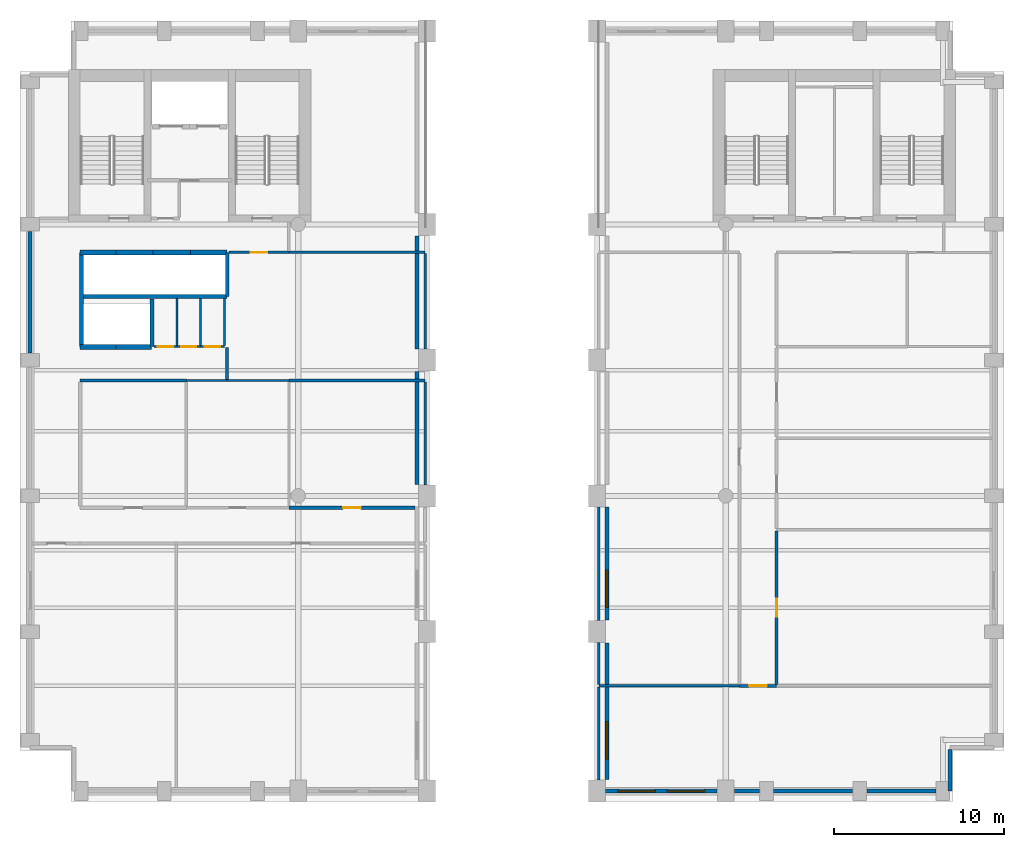
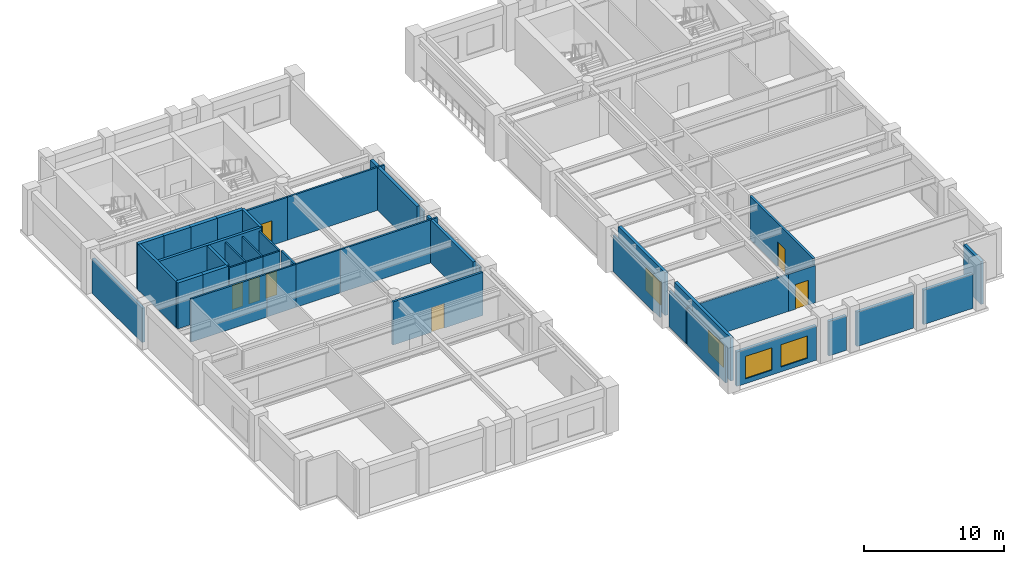
# One storey, part 3 of 8: 42 walls, 7 doors, 4 windows, 11 openings.
"""IFC4 building model written with IfcOpenShell, lengths in metres."""

from ifc_helpers import new_model, si_unit, direction, frame, frame_2d, origin, place, context, subcontext, project, spatial, rectangle, extrude, material, layer, layer_set, type_object, element, fill, save


model = new_model("IFC4")

# Units and contexts
model_context = context("Model", 3, precision=1e-05, world=origin(), true_north=direction((0.0, 1.0)))
body_context = subcontext(model_context, "Body", "Model", "MODEL_VIEW")
ifc_project = project(units=[si_unit("LENGTHUNIT", "METRE"), si_unit("AREAUNIT", "SQUARE_METRE"), si_unit("VOLUMEUNIT", "CUBIC_METRE"), si_unit("PLANEANGLEUNIT", "RADIAN"), si_unit("MASSUNIT", "GRAM", prefix="KILO")], contexts=[model_context])

# Site, building, storey
site_placement = place(None, origin())
site = spatial("IfcSite", under=ifc_project, at=site_placement, CompositionType="ELEMENT")
building_placement = place(site_placement, origin())
building = spatial("IfcBuilding", under=site, at=building_placement, Name="Sulina Concourse Tower", CompositionType="ELEMENT")
storey_placement = place(building_placement, frame((0.0, 0.0, 186.60009765625)))
storey = spatial("IfcBuildingStorey", under=building, at=storey_placement, Name="L45", CompositionType="ELEMENT", Elevation=186.60009765625)

# Walls
ifc_material_1 = material(Name="Concrete C50/60", Category="concrete")
ifc_layer_1 = layer(ifc_material_1, 0.219970703125)
ifc_layer_set_1 = layer_set([ifc_layer_1], Name="Concrete C50/60")
wall_type_1 = type_object("IfcWallType", Name="Core Lift Hoistway Divider Wall 220mm", PredefinedType="SOLIDWALL", material=ifc_layer_set_1)
wall_1_placement = place(storey_placement, frame((3.550048828125, 29.75, 0.0), z_axis=(0.0, 0.0, 1.0), x_axis=(1.0, 0.0, 0.0)))
element("IfcWall", 1, at=wall_1_placement, inside=storey, type_object=wall_type_1, Name="L45 shaft divider wall HW-LP3-S", PredefinedType="SOLIDWALL", context=body_context, shape_type="SweptSolid", body=[
    extrude(rectangle(XDim=8.64990234375, YDim=0.219970703125, at=frame_2d((4.324951171875, 0.0))), origin(), (0.0, 0.0, 1.0), 4.0),
])
wall_2_placement = place(storey_placement, frame((3.6298828125, 26.800048828125, 0.0), z_axis=(0.0, 0.0, 1.0), x_axis=(0.0, 1.0, 0.0)))
element("IfcWall", 2, at=wall_2_placement, inside=storey, type_object=wall_type_1, Name="L45 shaft divider wall HW-LP3-W", PredefinedType="SOLIDWALL", context=body_context, shape_type="SweptSolid", body=[
    extrude(rectangle(XDim=5.550048828125, YDim=0.219970703125, at=frame_2d((2.77490234375, 0.0))), origin(), (0.0, 0.0, 1.0), 4.0),
])
wall_3_placement = place(storey_placement, frame((7.780029296875, 26.800048828125, 0.0), z_axis=(0.0, 0.0, 1.0), x_axis=(0.0, 1.0, 0.0)))
element("IfcWall", 3, at=wall_3_placement, inside=storey, type_object=wall_type_1, Name="L45 shaft divider wall HW-EXP-E", PredefinedType="SOLIDWALL", context=body_context, shape_type="SweptSolid", body=[
    extrude(rectangle(XDim=2.800048828125, YDim=0.219970703125, at=frame_2d((1.39990234375, 0.0))), origin(), (0.0, 0.0, 1.0), 4.0),
])
wall_4_placement = place(storey_placement, frame((12.219970703125, 29.75, 0.0), z_axis=(0.0, 0.0, 1.0), x_axis=(0.0, 1.0, 0.0)))
element("IfcWall", 4, at=wall_4_placement, inside=storey, type_object=wall_type_1, Name="L45 shaft divider wall HW-LP3-E", PredefinedType="SOLIDWALL", context=body_context, shape_type="SweptSolid", body=[
    extrude(rectangle(XDim=2.60009765625, YDim=0.219970703125, at=frame_2d((1.300048828125, 0.0))), origin(), (0.0, 0.0, 1.0), 4.0),
])
ifc_material_2 = material(Name="Concrete C50/60", Category="concrete")
ifc_layer_2 = layer(ifc_material_2, 0.300048828125)
ifc_layer_set_2 = layer_set([ifc_layer_2], Name="Concrete C50/60")
wall_type_2 = type_object("IfcWallType", Name="Core Lift Hoistway Wall 300mm", PredefinedType="SOLIDWALL", material=ifc_layer_set_2)
wall_5_placement = place(storey_placement, frame((3.550048828125, 32.35009765625, 0.0), z_axis=(0.0, 0.0, 1.0), x_axis=(1.0, 0.0, 0.0)))
element("IfcWall", 5, at=wall_5_placement, inside=storey, type_object=wall_type_2, Name="L45 hoistway enclosure wall LP-09", PredefinedType="SOLIDWALL", context=body_context, shape_type="SweptSolid", body=[
    extrude(rectangle(XDim=2.099853515625, YDim=0.300048828125, at=frame_2d((1.0498046875, 0.0))), origin(), (0.0, 0.0, 1.0), 4.0),
])
wall_6_placement = place(storey_placement, frame((5.64990234375, 32.35009765625, 0.0), z_axis=(0.0, 0.0, 1.0), x_axis=(1.0, 0.0, 0.0)))
element("IfcWall", 6, at=wall_6_placement, inside=storey, type_object=wall_type_2, Name="L45 hoistway enclosure wall LP-10", PredefinedType="SOLIDWALL", context=body_context, shape_type="SweptSolid", body=[
    extrude(rectangle(XDim=2.2001953125, YDim=0.300048828125, at=frame_2d((1.10009765625, 0.0))), origin(), (0.0, 0.0, 1.0), 4.0),
])
wall_7_placement = place(storey_placement, frame((7.85009765625, 32.35009765625, 0.0), z_axis=(0.0, 0.0, 1.0), x_axis=(1.0, 0.0, 0.0)))
element("IfcWall", 7, at=wall_7_placement, inside=storey, type_object=wall_type_2, Name="L45 hoistway enclosure wall LP-11", PredefinedType="SOLIDWALL", context=body_context, shape_type="SweptSolid", body=[
    extrude(rectangle(XDim=2.199951171875, YDim=0.300048828125, at=frame_2d((1.10009765625, 0.0))), origin(), (0.0, 0.0, 1.0), 4.0),
])
wall_8_placement = place(storey_placement, frame((10.050048828125, 32.35009765625, 0.0), z_axis=(0.0, 0.0, 1.0), x_axis=(1.0, 0.0, 0.0)))
element("IfcWall", 8, at=wall_8_placement, inside=storey, type_object=wall_type_2, Name="L45 hoistway enclosure wall LP-12", PredefinedType="SOLIDWALL", context=body_context, shape_type="SweptSolid", body=[
    extrude(rectangle(XDim=2.14990234375, YDim=0.300048828125, at=frame_2d((1.074951171875, 0.0))), origin(), (0.0, 0.0, 1.0), 4.0),
])
wall_9_placement = place(storey_placement, frame((5.64990234375, 26.780029296875, 0.0), z_axis=(0.0, 0.0, 1.0), x_axis=(-1.0, 0.0, 0.0)))
element("IfcWall", 9, at=wall_9_placement, inside=storey, type_object=wall_type_2, Name="L45 hoistway enclosure wall EXP-1", PredefinedType="SOLIDWALL", context=body_context, shape_type="SweptSolid", body=[
    extrude(rectangle(XDim=2.099853515625, YDim=0.300048828125, at=frame_2d((1.0498046875, 0.0))), origin(), (0.0, 0.0, 1.0), 4.0),
])
wall_10_placement = place(storey_placement, frame((7.75, 26.780029296875, 0.0), z_axis=(0.0, 0.0, 1.0), x_axis=(-1.0, 0.0, 0.0)))
element("IfcWall", 10, at=wall_10_placement, inside=storey, type_object=wall_type_2, Name="L45 hoistway enclosure wall EXP-2", PredefinedType="SOLIDWALL", context=body_context, shape_type="SweptSolid", body=[
    extrude(rectangle(XDim=2.10009765625, YDim=0.300048828125, at=frame_2d((1.050048828125, 0.0))), origin(), (0.0, 0.0, 1.0), 4.0),
])

# Wall, openings, windows
ifc_material_3 = material(Name="Precast concrete C50/60", Category="concrete")
ifc_layer_3 = layer(ifc_material_3, 0.239990234375)
ifc_layer_set_3 = layer_set([ifc_layer_3], Name="Precast concrete C50/60")
wall_type_3 = type_object("IfcWallType", Name="Crown Precast Masonry-Frame Facade Wall 240mm", PredefinedType="SOLIDWALL", material=ifc_layer_set_3)
wall_11_placement = place(storey_placement, frame((41.080078125, 0.60009765625, 0.0), z_axis=(0.0, 0.0, 1.0), x_axis=(-1.0, 0.0, 0.0)))
wall_11 = element("IfcWall", 11, at=wall_11_placement, inside=storey, type_object=wall_type_3, Name="L45 exterior precast wall S6", PredefinedType="SOLIDWALL", context=body_context, shape_type="SweptSolid", body=[
    extrude(rectangle(XDim=6.56005859375, YDim=0.239990234375, at=frame_2d((3.280029296875, 0.0))), origin(), (0.0, 0.0, 1.0), 3.0),
])
opening_1_placement = place(wall_11_placement, frame((0.719970703125, 0.0, 0.419921875)))
opening_1 = element("IfcOpeningElement", 12, at=opening_1_placement, cuts=wall_11, Name="Opening WN-76", PredefinedType="OPENING", context=body_context, shape_type="SweptSolid", body=[
    extrude(rectangle(XDim=2.199951171875, YDim=1.949951171875, at=frame_2d((1.10009765625, 0.97509765625))), frame((0.0, 0.1298828125, 0.0), z_axis=(0.0, -1.0, 0.0), x_axis=(1.0, 0.0, 0.0)), (0.0, 0.0, 1.0), 0.260009765625),
])
opening_2_placement = place(wall_11_placement, frame((3.639892578125, 0.0, 0.419921875)))
opening_2 = element("IfcOpeningElement", 13, at=opening_2_placement, cuts=wall_11, Name="Opening WN-76", PredefinedType="OPENING", context=body_context, shape_type="SweptSolid", body=[
    extrude(rectangle(XDim=2.199951171875, YDim=1.949951171875, at=frame_2d((1.10009765625, 0.97509765625))), frame((0.0, 0.1298828125, 0.0), z_axis=(0.0, -1.0, 0.0), x_axis=(1.0, 0.0, 0.0)), (0.0, 0.0, 1.0), 0.260009765625),
])
ifc_material_4 = material(Name="Low-E solar double glazing in bronze aluminium", Category="aluminium")
window_type = type_object("IfcWindowType", Name="Recessed Spandrel Window 2200x1950", PartitioningType="DOUBLE_PANEL_VERTICAL", PredefinedType="WINDOW", material=ifc_material_4)
window_1_placement = place(opening_1_placement, origin())
window_1 = element("IfcWindow", 14, at=window_1_placement, inside=storey, type_object=window_type, Name="L45 punched window S6-1", OverallHeight=1.949951171875, OverallWidth=2.199951171875, PartitioningType="SINGLE_PANEL", PredefinedType="WINDOW", context=body_context, shape_type="SweptSolid", body=[
    extrude(rectangle(XDim=2.199951171875, YDim=1.949951171875, at=frame_2d((1.10009765625, 0.97509765625))), frame((0.0, 0.030029296875, 0.0), z_axis=(0.0, -1.0, 0.0), x_axis=(1.0, 0.0, 0.0)), (0.0, 0.0, 1.0), 0.06005859375),
])
fill(opening_1, window_1)
window_2_placement = place(opening_2_placement, origin())
window_2 = element("IfcWindow", 15, at=window_2_placement, inside=storey, type_object=window_type, Name="L45 punched window S6-2", OverallHeight=1.949951171875, OverallWidth=2.199951171875, PartitioningType="SINGLE_PANEL", PredefinedType="WINDOW", context=body_context, shape_type="SweptSolid", body=[
    extrude(rectangle(XDim=2.199951171875, YDim=1.949951171875, at=frame_2d((1.10009765625, 0.97509765625))), frame((0.0, 0.030029296875, 0.0), z_axis=(0.0, -1.0, 0.0), x_axis=(1.0, 0.0, 0.0)), (0.0, 0.0, 1.0), 0.06005859375),
])
fill(opening_2, window_2)

# Walls
wall_12_placement = place(storey_placement, frame((43.580078125, 0.60009765625, 0.0), z_axis=(0.0, 0.0, 1.0), x_axis=(-1.0, 0.0, 0.0)))
element("IfcWall", 16, at=wall_12_placement, inside=storey, type_object=wall_type_3, Name="L45 exterior precast wall S7", PredefinedType="SOLIDWALL", context=body_context, shape_type="SweptSolid", body=[
    extrude(rectangle(XDim=1.4599609375, YDim=0.239990234375, at=frame_2d((0.72998046875, 0.0))), origin(), (0.0, 0.0, 1.0), 3.0),
])
wall_13_placement = place(storey_placement, frame((49.080078125, 0.60009765625, 0.0), z_axis=(0.0, 0.0, 1.0), x_axis=(-1.0, 0.0, 0.0)))
element("IfcWall", 17, at=wall_13_placement, inside=storey, type_object=wall_type_3, Name="L45 exterior precast wall S8", PredefinedType="SOLIDWALL", context=body_context, shape_type="SweptSolid", body=[
    extrude(rectangle(XDim=4.66015625, YDim=0.239990234375, at=frame_2d((2.330078125, 0.0))), origin(), (0.0, 0.0, 1.0), 3.0),
])
wall_14_placement = place(storey_placement, frame((53.97998046875, 0.60009765625, 0.0), z_axis=(0.0, 0.0, 1.0), x_axis=(-1.0, 0.0, 0.0)))
element("IfcWall", 18, at=wall_14_placement, inside=storey, type_object=wall_type_3, Name="L45 exterior precast wall S9", PredefinedType="SOLIDWALL", context=body_context, shape_type="SweptSolid", body=[
    extrude(rectangle(XDim=4.06005859375, YDim=0.239990234375, at=frame_2d((2.030029296875, 0.0))), origin(), (0.0, 0.0, 1.0), 3.0),
])
wall_15_placement = place(storey_placement, frame((0.60009765625, 26.419921875, 0.0), z_axis=(0.0, 0.0, 1.0), x_axis=(0.0, 1.0, 0.0)))
element("IfcWall", 19, at=wall_15_placement, inside=storey, type_object=wall_type_3, Name="L45 exterior precast wall W4", PredefinedType="SOLIDWALL", context=body_context, shape_type="SweptSolid", body=[
    extrude(rectangle(XDim=7.16015625, YDim=0.239990234375, at=frame_2d((3.580078125, 0.0))), origin(), (0.0, 0.0, 1.0), 3.0),
])
wall_16_placement = place(storey_placement, frame((54.820068359375, 3.054931640625, 0.0), z_axis=(0.0, 0.0, 1.0), x_axis=(0.0, -1.0, 0.0)))
element("IfcWall", 20, at=wall_16_placement, inside=storey, type_object=wall_type_3, Name="L45 exterior precast wall CSE2", PredefinedType="SOLIDWALL", context=body_context, shape_type="SweptSolid", body=[
    extrude(rectangle(XDim=2.454833984375, YDim=0.239990234375, at=frame_2d((1.2275390625, 0.0))), origin(), (0.0, 0.0, 1.0), 3.75),
])

# Wall, opening, window
wall_17_placement = place(storey_placement, frame((34.60009765625, 1.27001953125, 0.0), z_axis=(0.0, 0.0, 1.0), x_axis=(0.0, 1.0, 0.0)))
wall_17 = element("IfcWall", 21, at=wall_17_placement, inside=storey, type_object=wall_type_3, Name="L45 exterior precast wall PE1", PredefinedType="SOLIDWALL", context=body_context, shape_type="SweptSolid", body=[
    extrude(rectangle(XDim=8.06005859375, YDim=0.239990234375, at=frame_2d((4.030029296875, 0.0))), origin(), (0.0, 0.0, 1.0), 3.75),
])
opening_3_placement = place(wall_17_placement, frame((1.219970703125, 0.0, 0.419921875)))
opening_3 = element("IfcOpeningElement", 22, at=opening_3_placement, cuts=wall_17, Name="Opening WN-76", PredefinedType="OPENING", context=body_context, shape_type="SweptSolid", body=[
    extrude(rectangle(XDim=2.199951171875, YDim=1.949951171875, at=frame_2d((1.10009765625, 0.97509765625))), frame((0.0, 0.1298828125, 0.0), z_axis=(0.0, -1.0, 0.0), x_axis=(1.0, 0.0, 0.0)), (0.0, 0.0, 1.0), 0.260009765625),
])
window_3_placement = place(opening_3_placement, origin())
window_3 = element("IfcWindow", 23, at=window_3_placement, inside=storey, type_object=window_type, Name="L45 punched window PE1-1", OverallHeight=1.949951171875, OverallWidth=2.199951171875, PartitioningType="SINGLE_PANEL", PredefinedType="WINDOW", context=body_context, shape_type="SweptSolid", body=[
    extrude(rectangle(XDim=2.199951171875, YDim=1.949951171875, at=frame_2d((1.10009765625, 0.97509765625))), frame((0.0, 0.030029296875, 0.0), z_axis=(0.0, -1.0, 0.0), x_axis=(1.0, 0.0, 0.0)), (0.0, 0.0, 1.0), 0.06005859375),
])
fill(opening_3, window_3)

wall_18_placement = place(storey_placement, frame((34.60009765625, 10.669921875, 0.0), z_axis=(0.0, 0.0, 1.0), x_axis=(0.0, 1.0, 0.0)))
wall_18 = element("IfcWall", 24, at=wall_18_placement, inside=storey, type_object=wall_type_3, Name="L45 exterior precast wall PE2", PredefinedType="SOLIDWALL", context=body_context, shape_type="SweptSolid", body=[
    extrude(rectangle(XDim=6.66015625, YDim=0.239990234375, at=frame_2d((3.330078125, 0.0))), origin(), (0.0, 0.0, 1.0), 3.75),
])
opening_4_placement = place(wall_18_placement, frame((0.75341796875, 0.0, 0.419921875)))
opening_4 = element("IfcOpeningElement", 25, at=opening_4_placement, cuts=wall_18, Name="Opening WN-76", PredefinedType="OPENING", context=body_context, shape_type="SweptSolid", body=[
    extrude(rectangle(XDim=2.199951171875, YDim=1.949951171875, at=frame_2d((1.10009765625, 0.97509765625))), frame((0.0, 0.1298828125, 0.0), z_axis=(0.0, -1.0, 0.0), x_axis=(1.0, 0.0, 0.0)), (0.0, 0.0, 1.0), 0.260009765625),
])
window_4_placement = place(opening_4_placement, origin())
window_4 = element("IfcWindow", 26, at=window_4_placement, inside=storey, type_object=window_type, Name="L45 punched window PE2-1", OverallHeight=1.949951171875, OverallWidth=2.199951171875, PartitioningType="SINGLE_PANEL", PredefinedType="WINDOW", context=body_context, shape_type="SweptSolid", body=[
    extrude(rectangle(XDim=2.199951171875, YDim=1.949951171875, at=frame_2d((1.10009765625, 0.97509765625))), frame((0.0, 0.030029296875, 0.0), z_axis=(0.0, -1.0, 0.0), x_axis=(1.0, 0.0, 0.0)), (0.0, 0.0, 1.0), 0.06005859375),
])
fill(opening_4, window_4)

# Walls
for number, where, z_axis, x_axis, name in (
    (27, (23.39990234375, 25.330078125, 0.0), (0.0, 0.0, 1.0), (0.0, -1.0, 0.0), "L45 exterior precast wall PW3"),
    (28, (23.39990234375, 33.330078125, 0.0), (0.0, 0.0, 1.0), (0.0, -1.0, 0.0), "L45 exterior precast wall PW4"),
):
    element("IfcWall", number, at=place(storey_placement, frame(where, z_axis=z_axis, x_axis=x_axis)), inside=storey, type_object=wall_type_3, Name=name, PredefinedType="SOLIDWALL", context=body_context, shape_type="SweptSolid", body=[
        extrude(rectangle(XDim=6.66015625, YDim=0.239990234375, at=frame_2d((3.330078125, 0.0))), origin(), (0.0, 0.0, 1.0), 3.75),
    ])
ifc_material_5 = material(Name="Gypsum board on steel stud", Category="steel")
ifc_layer_4 = layer(ifc_material_5, 0.14990234375)
ifc_layer_set_4 = layer_set([ifc_layer_4], Name="Gypsum board on steel stud")
wall_type_4 = type_object("IfcWallType", Name="Inter-Tenancy Acoustic Partition 150mm", PredefinedType="PARTITIONING", material=ifc_layer_set_4)
wall_19_placement = place(storey_placement, frame((34.1201171875, 6.800048828125, 0.0), z_axis=(0.0, 0.0, 1.0), x_axis=(1.0, 0.0, 0.0)))
element("IfcWall", 29, at=wall_19_placement, inside=storey, type_object=wall_type_4, Name="L45 interior partition 001", PredefinedType="PARTITIONING", context=body_context, shape_type="SweptSolid", body=[
    extrude(rectangle(XDim=8.27978515625, YDim=0.14990234375, at=frame_2d((4.139892578125, 0.0))), origin(), (0.0, 0.0, 1.0), 3.244873046875),
])
wall_20_placement = place(storey_placement, frame((3.550048828125, 24.800048828125, 0.0), z_axis=(0.0, 0.0, 1.0), x_axis=(1.0, 0.0, 0.0)))
element("IfcWall", 30, at=wall_20_placement, inside=storey, type_object=wall_type_4, Name="L45 interior partition 012", PredefinedType="PARTITIONING", context=body_context, shape_type="SweptSolid", body=[
    extrude(rectangle(XDim=6.25, YDim=0.14990234375, at=frame_2d((3.125, 0.0))), origin(), (0.0, 0.0, 1.0), 3.75),
])
wall_21_placement = place(storey_placement, frame((15.85009765625, 24.800048828125, 0.0), z_axis=(0.0, 0.0, 1.0), x_axis=(1.0, 0.0, 0.0)))
element("IfcWall", 31, at=wall_21_placement, inside=storey, type_object=wall_type_4, Name="L45 interior partition 015", PredefinedType="PARTITIONING", context=body_context, shape_type="SweptSolid", body=[
    extrude(rectangle(XDim=8.02978515625, YDim=0.14990234375, at=frame_2d((4.014892578125, 0.0))), origin(), (0.0, 0.0, 1.0), 3.75),
])

# Wall, opening, door
wall_22_placement = place(storey_placement, frame((12.330078125, 32.35009765625, 0.0), z_axis=(0.0, 0.0, 1.0), x_axis=(1.0, 0.0, 0.0)))
wall_22 = element("IfcWall", 32, at=wall_22_placement, inside=storey, type_object=wall_type_4, Name="L45 interior partition 021", PredefinedType="PARTITIONING", context=body_context, shape_type="SweptSolid", body=[
    extrude(rectangle(XDim=3.52001953125, YDim=0.14990234375, at=frame_2d((1.760009765625, 0.0))), origin(), (0.0, 0.0, 1.0), 3.75),
])
opening_5_placement = place(wall_22_placement, frame((1.284912109375, 0.0, 0.0)))
opening_5 = element("IfcOpeningElement", 33, at=opening_5_placement, cuts=wall_22, Name="Opening DR-19", PredefinedType="OPENING", context=body_context, shape_type="SweptSolid", body=[
    extrude(rectangle(XDim=0.949951171875, YDim=2.14990234375, at=frame_2d((0.47509765625, 1.074951171875))), frame((0.0, 0.0849609375, 0.0), z_axis=(0.0, -1.0, 0.0), x_axis=(1.0, 0.0, 0.0)), (0.0, 0.0, 1.0), 0.169921875),
])
ifc_material_6 = material(Name="Oak-veneered acoustic timber leaf", Category="wood")
ifc_layer_5 = layer(ifc_material_6, 0.050048828125)
ifc_layer_set_5 = layer_set([ifc_layer_5], Name="Oak-veneered acoustic timber leaf")
door_type_1 = type_object("IfcDoorType", Name="Cellular Office & Meeting Door 950x2150", OperationType="NOTDEFINED", PredefinedType="DOOR", material=ifc_layer_set_5)
door_1_placement = place(opening_5_placement, origin())
door_1 = element("IfcDoor", 34, at=door_1_placement, inside=storey, type_object=door_type_1, Name="L45 interior door L45-MR-MRG1", OperationType="SINGLE_SWING_RIGHT", OverallHeight=2.14990234375, OverallWidth=0.949951171875, PredefinedType="DOOR", context=body_context, shape_type="SweptSolid", body=[
    extrude(rectangle(XDim=0.949951171875, YDim=2.14990234375, at=frame_2d((0.47509765625, 1.074951171875))), frame((0.0, 0.02490234375, 0.0), z_axis=(0.0, -1.0, 0.0), x_axis=(1.0, 0.0, 0.0)), (0.0, 0.0, 1.0), 0.050048828125),
])
fill(opening_5, door_1)

# Walls
wall_23_placement = place(storey_placement, frame((15.85009765625, 32.35009765625, 0.0), z_axis=(0.0, 0.0, 1.0), x_axis=(1.0, 0.0, 0.0)))
element("IfcWall", 35, at=wall_23_placement, inside=storey, type_object=wall_type_4, Name="L45 interior partition 022", PredefinedType="PARTITIONING", context=body_context, shape_type="SweptSolid", body=[
    extrude(rectangle(XDim=8.02978515625, YDim=0.14990234375, at=frame_2d((4.014892578125, 0.0))), origin(), (0.0, 0.0, 1.0), 3.75),
])
wall_24_placement = place(storey_placement, frame((12.199951171875, 24.862548828125, 0.0), z_axis=(0.0, 0.0, 1.0), x_axis=(0.0, 1.0, 0.0)))
element("IfcWall", 36, at=wall_24_placement, inside=storey, type_object=wall_type_4, Name="L45 interior partition 039", PredefinedType="PARTITIONING", context=body_context, shape_type="SweptSolid", body=[
    extrude(rectangle(XDim=1.875, YDim=0.14990234375, at=frame_2d((0.9375, 0.0))), origin(), (0.0, 0.0, 1.0), 3.75),
])
wall_25_placement = place(storey_placement, frame((23.8798828125, 18.64990234375, 0.0), z_axis=(0.0, 0.0, 1.0), x_axis=(0.0, 1.0, 0.0)))
element("IfcWall", 37, at=wall_25_placement, inside=storey, type_object=wall_type_4, Name="L45 interior partition 045", PredefinedType="PARTITIONING", context=body_context, shape_type="SweptSolid", body=[
    extrude(rectangle(XDim=6.0751953125, YDim=0.14990234375, at=frame_2d((3.03759765625, 0.0))), origin(), (0.0, 0.0, 1.0), 3.14501953125),
])
wall_26_placement = place(storey_placement, frame((23.8798828125, 26.64990234375, 0.0), z_axis=(0.0, 0.0, 1.0), x_axis=(0.0, 1.0, 0.0)))
element("IfcWall", 38, at=wall_26_placement, inside=storey, type_object=wall_type_4, Name="L45 interior partition 046", PredefinedType="PARTITIONING", context=body_context, shape_type="SweptSolid", body=[
    extrude(rectangle(XDim=5.625, YDim=0.14990234375, at=frame_2d((2.8125, 0.0))), origin(), (0.0, 0.0, 1.0), 3.14501953125),
])
wall_27_placement = place(storey_placement, frame((34.1201171875, 1.25, 0.0), z_axis=(0.0, 0.0, 1.0), x_axis=(0.0, 1.0, 0.0)))
element("IfcWall", 39, at=wall_27_placement, inside=storey, type_object=wall_type_4, Name="L45 interior partition 047", PredefinedType="PARTITIONING", context=body_context, shape_type="SweptSolid", body=[
    extrude(rectangle(XDim=5.47509765625, YDim=0.14990234375, at=frame_2d((2.737548828125, 0.0))), origin(), (0.0, 0.0, 1.0), 3.14501953125),
])
wall_28_placement = place(storey_placement, frame((34.1201171875, 6.875, 0.0), z_axis=(0.0, 0.0, 1.0), x_axis=(0.0, 1.0, 0.0)))
element("IfcWall", 40, at=wall_28_placement, inside=storey, type_object=wall_type_4, Name="L45 interior partition 048", PredefinedType="PARTITIONING", context=body_context, shape_type="SweptSolid", body=[
    extrude(rectangle(XDim=2.47509765625, YDim=0.14990234375, at=frame_2d((1.237548828125, 0.0))), origin(), (0.0, 0.0, 1.0), 3.14501953125),
])
wall_29_placement = place(storey_placement, frame((34.1201171875, 10.64990234375, 0.0), z_axis=(0.0, 0.0, 1.0), x_axis=(0.0, 1.0, 0.0)))
element("IfcWall", 41, at=wall_29_placement, inside=storey, type_object=wall_type_4, Name="L45 interior partition 049", PredefinedType="PARTITIONING", context=body_context, shape_type="SweptSolid", body=[
    extrude(rectangle(XDim=6.7001953125, YDim=0.14990234375, at=frame_2d((3.35009765625, 0.0))), origin(), (0.0, 0.0, 1.0), 3.14501953125),
])

# Wall, opening, door
ifc_material_7 = material(Name="Gypsum board on steel stud", Category="steel")
ifc_layer_6 = layer(ifc_material_7, 0.179931640625)
ifc_layer_set_6 = layer_set([ifc_layer_6], Name="Gypsum board on steel stud")
wall_type_5 = type_object("IfcWallType", Name="Protected Corridor & Riser Partition 180mm", PredefinedType="PARTITIONING", material=ifc_layer_set_6)
wall_30_placement = place(storey_placement, frame((42.39990234375, 6.800048828125, 0.0), z_axis=(0.0, 0.0, 1.0), x_axis=(1.0, 0.0, 0.0)))
wall_30 = element("IfcWall", 42, at=wall_30_placement, inside=storey, type_object=wall_type_5, Name="L45 interior partition 002", PredefinedType="PARTITIONING", context=body_context, shape_type="SweptSolid", body=[
    extrude(rectangle(XDim=2.2001953125, YDim=0.179931640625, at=frame_2d((1.10009765625, 0.0))), origin(), (0.0, 0.0, 1.0), 3.244873046875),
])
opening_6_placement = place(wall_30_placement, frame((0.574951171875, 0.0, 0.0)))
opening_6 = element("IfcOpeningElement", 43, at=opening_6_placement, cuts=wall_30, Name="Opening DR-37", PredefinedType="OPENING", context=body_context, shape_type="SweptSolid", body=[
    extrude(rectangle(XDim=1.050048828125, YDim=2.14990234375, at=frame_2d((0.52490234375, 1.074951171875))), frame((0.0, 0.099853515625, 0.0), z_axis=(0.0, -1.0, 0.0), x_axis=(1.0, 0.0, 0.0)), (0.0, 0.0, 1.0), 0.199951171875),
])
ifc_material_8 = material(Name="Oak-veneered fire door leaf")
ifc_layer_7 = layer(ifc_material_8, 0.050048828125)
ifc_layer_set_7 = layer_set([ifc_layer_7], Name="Oak-veneered fire door leaf")
door_type_2 = type_object("IfcDoorType", Name="Tenant Suite Entrance Fire Door 1050x2150", OperationType="NOTDEFINED", PredefinedType="DOOR", material=ifc_layer_set_7)
door_2_placement = place(opening_6_placement, origin())
door_2 = element("IfcDoor", 44, at=door_2_placement, inside=storey, type_object=door_type_2, Name="L45 interior door L45-OFF-E1", OperationType="SINGLE_SWING_LEFT", OverallHeight=2.14990234375, OverallWidth=1.050048828125, PredefinedType="DOOR", context=body_context, shape_type="SweptSolid", body=[
    extrude(rectangle(XDim=1.050048828125, YDim=2.14990234375, at=frame_2d((0.52490234375, 1.074951171875))), frame((0.0, 0.02490234375, 0.0), z_axis=(0.0, -1.0, 0.0), x_axis=(1.0, 0.0, 0.0)), (0.0, 0.0, 1.0), 0.050048828125),
])
fill(opening_6, door_2)

wall_31_placement = place(storey_placement, frame((15.85009765625, 17.300048828125, 0.0), z_axis=(0.0, 0.0, 1.0), x_axis=(1.0, 0.0, 0.0)))
wall_31 = element("IfcWall", 45, at=wall_31_placement, inside=storey, type_object=wall_type_5, Name="L45 interior partition 010", PredefinedType="PARTITIONING", context=body_context, shape_type="SweptSolid", body=[
    extrude(rectangle(XDim=7.429931640625, YDim=0.179931640625, at=frame_2d((3.71484375, 0.0))), origin(), (0.0, 0.0, 1.0), 3.75),
])
opening_7_placement = place(wall_31_placement, frame((3.18994140625, 0.0, 0.0)))
opening_7 = element("IfcOpeningElement", 46, at=opening_7_placement, cuts=wall_31, Name="Opening DR-37", PredefinedType="OPENING", context=body_context, shape_type="SweptSolid", body=[
    extrude(rectangle(XDim=1.050048828125, YDim=2.14990234375, at=frame_2d((0.52490234375, 1.074951171875))), frame((0.0, 0.099853515625, 0.0), z_axis=(0.0, -1.0, 0.0), x_axis=(1.0, 0.0, 0.0)), (0.0, 0.0, 1.0), 0.199951171875),
])
door_3_placement = place(opening_7_placement, origin())
door_3 = element("IfcDoor", 47, at=door_3_placement, inside=storey, type_object=door_type_2, Name="L45 interior door L45-TER-LNG", OperationType="SINGLE_SWING_RIGHT", OverallHeight=2.14990234375, OverallWidth=1.050048828125, PredefinedType="DOOR", context=body_context, shape_type="SweptSolid", body=[
    extrude(rectangle(XDim=1.050048828125, YDim=2.14990234375, at=frame_2d((0.52490234375, 1.074951171875))), frame((0.0, 0.02490234375, 0.0), z_axis=(0.0, -1.0, 0.0), x_axis=(1.0, 0.0, 0.0)), (0.0, 0.0, 1.0), 0.050048828125),
])
fill(opening_7, door_3)

wall_32_placement = place(storey_placement, frame((44.60009765625, 6.889892578125, 0.0), z_axis=(0.0, 0.0, 1.0), x_axis=(0.0, 1.0, 0.0)))
wall_32 = element("IfcWall", 48, at=wall_32_placement, inside=storey, type_object=wall_type_5, Name="L45 interior partition 054", PredefinedType="PARTITIONING", context=body_context, shape_type="SweptSolid", body=[
    extrude(rectangle(XDim=9.03515625, YDim=0.179931640625, at=frame_2d((4.517578125, 0.0))), origin(), (0.0, 0.0, 1.0), 3.75),
])
opening_8_placement = place(wall_32_placement, frame((3.992431640625, 0.0, 0.0)))
opening_8 = element("IfcOpeningElement", 49, at=opening_8_placement, cuts=wall_32, Name="Opening DR-37", PredefinedType="OPENING", context=body_context, shape_type="SweptSolid", body=[
    extrude(rectangle(XDim=1.050048828125, YDim=2.14990234375, at=frame_2d((0.52490234375, 1.074951171875))), frame((0.0, 0.099853515625, 0.0), z_axis=(0.0, -1.0, 0.0), x_axis=(1.0, 0.0, 0.0)), (0.0, 0.0, 1.0), 0.199951171875),
])
door_4_placement = place(opening_8_placement, origin())
door_4 = element("IfcDoor", 50, at=door_4_placement, inside=storey, type_object=door_type_2, Name="L45 interior door L45-MTG-E1", OperationType="SINGLE_SWING_LEFT", OverallHeight=2.14990234375, OverallWidth=1.050048828125, PredefinedType="DOOR", context=body_context, shape_type="SweptSolid", body=[
    extrude(rectangle(XDim=1.050048828125, YDim=2.14990234375, at=frame_2d((0.52490234375, 1.074951171875))), frame((0.0, 0.02490234375, 0.0), z_axis=(0.0, -1.0, 0.0), x_axis=(1.0, 0.0, 0.0)), (0.0, 0.0, 1.0), 0.050048828125),
])
fill(opening_8, door_4)

# Walls
ifc_material_9 = material(Name="Gypsum board on steel stud", Category="steel")
ifc_layer_8 = layer(ifc_material_9, 0.125)
ifc_layer_set_8 = layer_set([ifc_layer_8], Name="Gypsum board on steel stud")
wall_type_6 = type_object("IfcWallType", Name="Wet-Area Moisture-Resistant Partition 125mm", PredefinedType="PARTITIONING", material=ifc_layer_set_8)
wall_33_placement = place(storey_placement, frame((9.800048828125, 24.800048828125, 0.0), z_axis=(0.0, 0.0, 1.0), x_axis=(1.0, 0.0, 0.0)))
element("IfcWall", 51, at=wall_33_placement, inside=storey, type_object=wall_type_6, Name="L45 interior partition 013", PredefinedType="PARTITIONING", context=body_context, shape_type="SweptSolid", body=[
    extrude(rectangle(XDim=2.39990234375, YDim=0.125, at=frame_2d((1.199951171875, 0.0))), origin(), (0.0, 0.0, 1.0), 3.75),
])
wall_34_placement = place(storey_placement, frame((12.199951171875, 24.800048828125, 0.0), z_axis=(0.0, 0.0, 1.0), x_axis=(1.0, 0.0, 0.0)))
element("IfcWall", 52, at=wall_34_placement, inside=storey, type_object=wall_type_6, Name="L45 interior partition 014", PredefinedType="PARTITIONING", context=body_context, shape_type="SweptSolid", body=[
    extrude(rectangle(XDim=3.650146484375, YDim=0.125, at=frame_2d((1.8251953125, 0.0))), origin(), (0.0, 0.0, 1.0), 3.75),
])

# Wall, opening, door
wall_35_placement = place(storey_placement, frame((7.889892578125, 26.800048828125, 0.0), z_axis=(0.0, 0.0, 1.0), x_axis=(1.0, 0.0, 0.0)))
wall_35 = element("IfcWall", 53, at=wall_35_placement, inside=storey, type_object=wall_type_6, Name="L45 interior partition 016", PredefinedType="PARTITIONING", context=body_context, shape_type="SweptSolid", body=[
    extrude(rectangle(XDim=1.360107421875, YDim=0.125, at=frame_2d((0.68017578125, 0.0))), origin(), (0.0, 0.0, 1.0), 3.75),
])
opening_9_placement = place(wall_35_placement, frame((0.22998046875, 0.0, 0.0)))
opening_9 = element("IfcOpeningElement", 54, at=opening_9_placement, cuts=wall_35, Name="Opening DR-21", PredefinedType="OPENING", context=body_context, shape_type="SweptSolid", body=[
    extrude(rectangle(XDim=0.89990234375, YDim=2.10009765625, at=frame_2d((0.449951171875, 1.050048828125))), frame((0.0, 0.072509765625, 0.0), z_axis=(0.0, -1.0, 0.0), x_axis=(1.0, 0.0, 0.0)), (0.0, 0.0, 1.0), 0.14501953125),
])
ifc_material_10 = material(Name="Oak-veneered fire door leaf")
ifc_layer_9 = layer(ifc_material_10, 0.050048828125)
ifc_layer_set_9 = layer_set([ifc_layer_9], Name="Oak-veneered fire door leaf")
door_type_3 = type_object("IfcDoorType", Name="Restroom & Service Door 900x2100", OperationType="NOTDEFINED", PredefinedType="DOOR", material=ifc_layer_set_9)
door_5_placement = place(opening_9_placement, origin())
door_5 = element("IfcDoor", 55, at=door_5_placement, inside=storey, type_object=door_type_3, Name="L45 interior door L45-WC-M", OperationType="SINGLE_SWING_LEFT", OverallHeight=2.10009765625, OverallWidth=0.89990234375, PredefinedType="DOOR", context=body_context, shape_type="SweptSolid", body=[
    extrude(rectangle(XDim=0.89990234375, YDim=2.10009765625, at=frame_2d((0.449951171875, 1.050048828125))), frame((0.0, 0.02490234375, 0.0), z_axis=(0.0, -1.0, 0.0), x_axis=(1.0, 0.0, 0.0)), (0.0, 0.0, 1.0), 0.050048828125),
])
fill(opening_9, door_5)

wall_36_placement = place(storey_placement, frame((9.25, 26.800048828125, 0.0), z_axis=(0.0, 0.0, 1.0), x_axis=(1.0, 0.0, 0.0)))
wall_36 = element("IfcWall", 56, at=wall_36_placement, inside=storey, type_object=wall_type_6, Name="L45 interior partition 017", PredefinedType="PARTITIONING", context=body_context, shape_type="SweptSolid", body=[
    extrude(rectangle(XDim=1.39990234375, YDim=0.125, at=frame_2d((0.699951171875, 0.0))), origin(), (0.0, 0.0, 1.0), 3.75),
])
opening_10_placement = place(wall_36_placement, frame((0.25, 0.0, 0.0)))
opening_10 = element("IfcOpeningElement", 57, at=opening_10_placement, cuts=wall_36, Name="Opening DR-21", PredefinedType="OPENING", context=body_context, shape_type="SweptSolid", body=[
    extrude(rectangle(XDim=0.89990234375, YDim=2.10009765625, at=frame_2d((0.449951171875, 1.050048828125))), frame((0.0, 0.072509765625, 0.0), z_axis=(0.0, -1.0, 0.0), x_axis=(1.0, 0.0, 0.0)), (0.0, 0.0, 1.0), 0.14501953125),
])
door_6_placement = place(opening_10_placement, origin())
door_6 = element("IfcDoor", 58, at=door_6_placement, inside=storey, type_object=door_type_3, Name="L45 interior door L45-WC-F", OperationType="SINGLE_SWING_RIGHT", OverallHeight=2.10009765625, OverallWidth=0.89990234375, PredefinedType="DOOR", context=body_context, shape_type="SweptSolid", body=[
    extrude(rectangle(XDim=0.89990234375, YDim=2.10009765625, at=frame_2d((0.449951171875, 1.050048828125))), frame((0.0, 0.02490234375, 0.0), z_axis=(0.0, -1.0, 0.0), x_axis=(1.0, 0.0, 0.0)), (0.0, 0.0, 1.0), 0.050048828125),
])
fill(opening_10, door_6)

wall_37_placement = place(storey_placement, frame((10.64990234375, 26.800048828125, 0.0), z_axis=(0.0, 0.0, 1.0), x_axis=(1.0, 0.0, 0.0)))
wall_37 = element("IfcWall", 59, at=wall_37_placement, inside=storey, type_object=wall_type_6, Name="L45 interior partition 018", PredefinedType="PARTITIONING", context=body_context, shape_type="SweptSolid", body=[
    extrude(rectangle(XDim=1.400146484375, YDim=0.125, at=frame_2d((0.7001953125, 0.0))), origin(), (0.0, 0.0, 1.0), 3.75),
])
opening_11_placement = place(wall_37_placement, frame((0.239990234375, 0.0, 0.0)))
opening_11 = element("IfcOpeningElement", 60, at=opening_11_placement, cuts=wall_37, Name="Opening DR-61", PredefinedType="OPENING", context=body_context, shape_type="SweptSolid", body=[
    extrude(rectangle(XDim=0.919921875, YDim=2.10009765625, at=frame_2d((0.4599609375, 1.050048828125))), frame((0.0, 0.072509765625, 0.0), z_axis=(0.0, -1.0, 0.0), x_axis=(1.0, 0.0, 0.0)), (0.0, 0.0, 1.0), 0.14501953125),
])
ifc_material_11 = material(Name="Oak-veneered fire door leaf")
ifc_layer_10 = layer(ifc_material_11, 0.050048828125)
ifc_layer_set_10 = layer_set([ifc_layer_10], Name="Oak-veneered fire door leaf")
door_type_4 = type_object("IfcDoorType", Name="Accessible WC Door 920x2100", OperationType="NOTDEFINED", PredefinedType="DOOR", material=ifc_layer_set_10)
door_7_placement = place(opening_11_placement, origin())
door_7 = element("IfcDoor", 61, at=door_7_placement, inside=storey, type_object=door_type_4, Name="L45 interior door L45-WC-ACC", OperationType="SINGLE_SWING_LEFT", OverallHeight=2.10009765625, OverallWidth=0.919921875, PredefinedType="DOOR", context=body_context, shape_type="SweptSolid", body=[
    extrude(rectangle(XDim=0.919921875, YDim=2.10009765625, at=frame_2d((0.4599609375, 1.050048828125))), frame((0.0, 0.02490234375, 0.0), z_axis=(0.0, -1.0, 0.0), x_axis=(1.0, 0.0, 0.0)), (0.0, 0.0, 1.0), 0.050048828125),
])
fill(opening_11, door_7)

# Walls
for number, where, z_axis, x_axis, name in (
    (62, (9.25, 26.862548828125, 0.0), (0.0, 0.0, 1.0), (0.0, 1.0, 0.0), "L45 interior partition 034"),
    (63, (10.64990234375, 26.862548828125, 0.0), (0.0, 0.0, 1.0), (0.0, 1.0, 0.0), "L45 interior partition 037"),
    (64, (12.050048828125, 26.862548828125, 0.0), (0.0, 0.0, 1.0), (0.0, 1.0, 0.0), "L45 interior partition 038"),
):
    element("IfcWall", number, at=place(storey_placement, frame(where, z_axis=z_axis, x_axis=x_axis)), inside=storey, type_object=wall_type_6, Name=name, PredefinedType="PARTITIONING", context=body_context, shape_type="SweptSolid", body=[
        extrude(rectangle(XDim=2.77734375, YDim=0.125, at=frame_2d((1.388671875, 0.0))), origin(), (0.0, 0.0, 1.0), 3.75),
    ])

save(model, "model.ifc")
